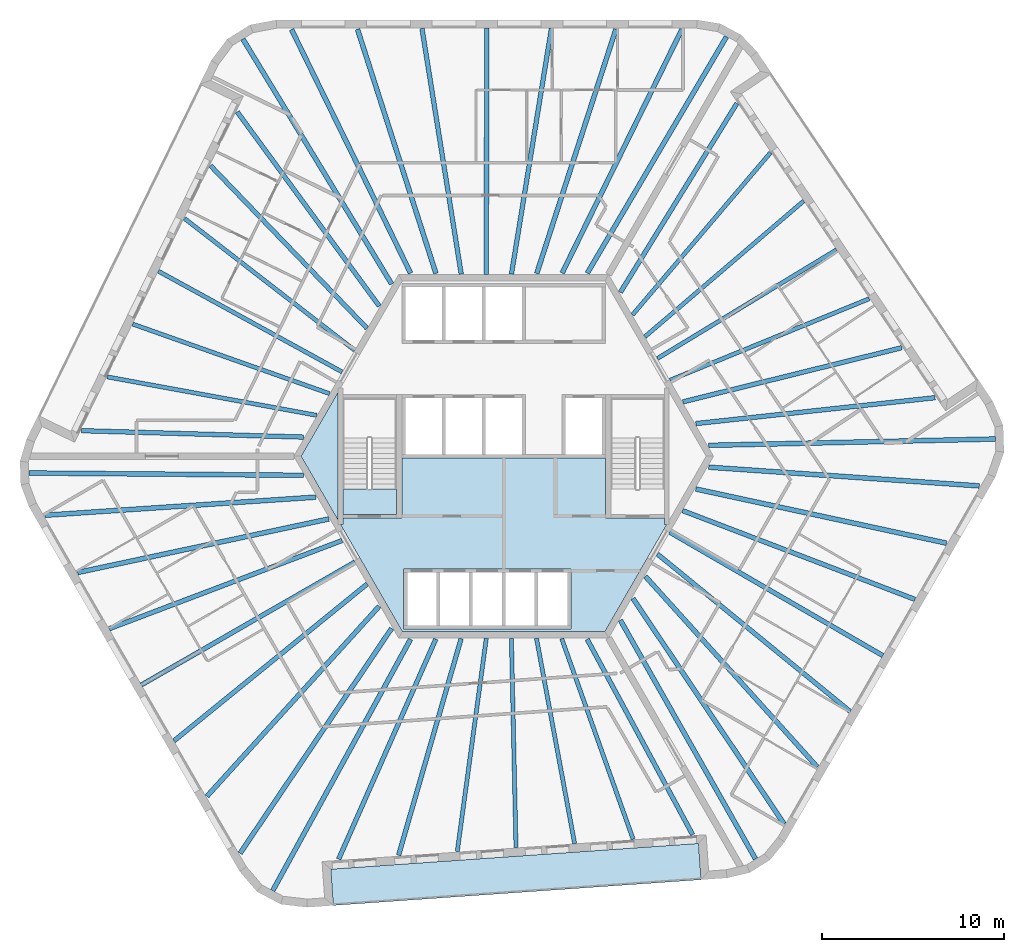
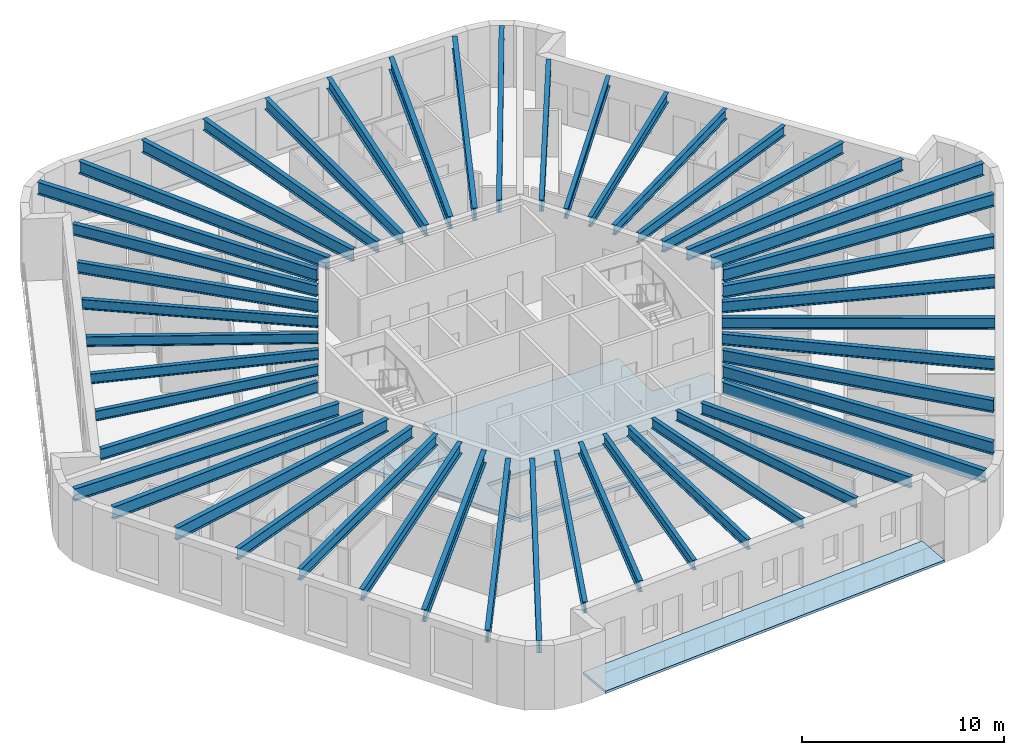
# One storey, part 1 of 11: 48 beams, 4 slabs.
"""IFC4 building model written with IfcOpenShell, lengths in metres."""

from ifc_helpers import new_model, si_unit, direction, frame, origin, origin_2d, place, context, subcontext, project, spatial, polyline, i_section, outline, extrude, material, layer, layer_set, material_profile, profile_set, type_object, element, save


model = new_model("IFC4")

# Units and contexts
model_context = context("Model", 3, precision=1e-05, world=origin(), true_north=direction((0.0, 1.0)))
body_context = subcontext(model_context, "Body", "Model", "MODEL_VIEW")
ifc_project = project(units=[si_unit("LENGTHUNIT", "METRE"), si_unit("AREAUNIT", "SQUARE_METRE"), si_unit("VOLUMEUNIT", "CUBIC_METRE"), si_unit("PLANEANGLEUNIT", "RADIAN"), si_unit("MASSUNIT", "GRAM", prefix="KILO")], contexts=[model_context])

# Site, building, storey
site_placement = place(None, origin())
site = spatial("IfcSite", under=ifc_project, at=site_placement, CompositionType="ELEMENT")
building_placement = place(site_placement, origin())
building = spatial("IfcBuilding", under=site, at=building_placement, Name="Tarnside Tower", CompositionType="ELEMENT")
storey_placement = place(building_placement, frame((0.0, 0.0, 353.39990234375)))
storey = spatial("IfcBuildingStorey", under=building, at=storey_placement, Name="L85", CompositionType="ELEMENT", Elevation=353.39990234375)

# Beams
ifc_material_1 = material(Name="Steel S355", Category="steel")
ifc_material_profile_1 = material_profile(ifc_material_1, i_section(OverallWidth=0.228271484375, OverallDepth=0.607666015625, WebThickness=0.010986328125, FlangeThickness=0.017333984375, FilletRadius=0.0126953125, at=origin_2d()), Name="UB 610x229x113")
ifc_profile_set_1 = profile_set([ifc_material_profile_1], Name="Steel S355")
beam_type_1 = type_object("IfcBeamType", Name="Floor beam UB 610x229x113", PredefinedType="BEAM", material=ifc_profile_set_1)
beam_1_placement = place(storey_placement, frame((-17.5537109375, 13.079345703125, 3.4462890625), z_axis=(0.790645071634, -0.612274750991, 0.0), x_axis=(0.612274750991, 0.790645071634, 0.0)))
element("IfcBeam", 1, at=beam_1_placement, inside=storey, type_object=beam_type_1, Name="Floor beam F2.03", PredefinedType="BEAM", context=body_context, shape_type="SweptSolid", body=[
    extrude(i_section(OverallWidth=0.228271484375, OverallDepth=0.607666015625, WebThickness=0.010986328125, FlangeThickness=0.017333984375, FilletRadius=0.0126953125, at=origin_2d()), origin(), (0.0, 0.0, 1.0), 11.829833984375),
])
beam_2_placement = place(storey_placement, frame((-18.98974609375, 10.1787109375, 3.4462890625), z_axis=(0.876798859106, -0.480857318412, 0.0), x_axis=(0.480857318412, 0.876798859106, 0.0)))
element("IfcBeam", 2, at=beam_2_placement, inside=storey, type_object=beam_type_1, Name="Floor beam F2.04", PredefinedType="BEAM", context=body_context, shape_type="SweptSolid", body=[
    extrude(i_section(OverallWidth=0.228271484375, OverallDepth=0.607666015625, WebThickness=0.010986328125, FlangeThickness=0.017333984375, FilletRadius=0.0126953125, at=origin_2d()), origin(), (0.0, 0.0, 1.0), 11.517578125),
])
beam_3_placement = place(storey_placement, frame((-20.408203125, 7.27099609375, 3.4462890625), z_axis=(0.942835979757, -0.33325713087, 0.0), x_axis=(0.33325713087, 0.942835979757, 0.0)))
element("IfcBeam", 3, at=beam_3_placement, inside=storey, type_object=beam_type_1, Name="Floor beam F2.05", PredefinedType="BEAM", context=body_context, shape_type="SweptSolid", body=[
    extrude(i_section(OverallWidth=0.228271484375, OverallDepth=0.607666015625, WebThickness=0.010986328125, FlangeThickness=0.017333984375, FilletRadius=0.0126953125, at=origin_2d()), origin(), (0.0, 0.0, 1.0), 11.4833984375),
])
beam_4_placement = place(storey_placement, frame((-21.80517578125, 4.3642578125, 3.4462890625), z_axis=(0.983583368825, -0.180454306048, 0.0), x_axis=(0.180454306048, 0.983583368825, 0.0)))
element("IfcBeam", 4, at=beam_4_placement, inside=storey, type_object=beam_type_1, Name="Floor beam F2.06", PredefinedType="BEAM", context=body_context, shape_type="SweptSolid", body=[
    extrude(i_section(OverallWidth=0.228271484375, OverallDepth=0.607666015625, WebThickness=0.010986328125, FlangeThickness=0.017333984375, FilletRadius=0.0126953125, at=origin_2d()), origin(), (0.0, 0.0, 1.0), 11.706787109375),
])
beam_5_placement = place(storey_placement, frame((-2.550048828125, -21.74169921875, 3.4462890625), z_axis=(0.134905991625, 0.990858402308, 0.0), x_axis=(-0.990858402308, 0.134905991625, 0.0)))
element("IfcBeam", 5, at=beam_5_placement, inside=storey, type_object=beam_type_1, Name="Floor beam F4.03", PredefinedType="BEAM", context=body_context, shape_type="SweptSolid", body=[
    extrude(i_section(OverallWidth=0.228271484375, OverallDepth=0.607666015625, WebThickness=0.010986328125, FlangeThickness=0.017333984375, FilletRadius=0.0126953125, at=origin_2d()), origin(), (0.0, 0.0, 1.0), 11.830078125),
])
beam_6_placement = place(storey_placement, frame((0.6796875, -21.53515625, 3.4462890625), z_axis=(-0.021959678074, 0.999758857195, 0.0), x_axis=(-0.999758857195, -0.021959678074, 0.0)))
element("IfcBeam", 6, at=beam_6_placement, inside=storey, type_object=beam_type_1, Name="Floor beam F4.04", PredefinedType="BEAM", context=body_context, shape_type="SweptSolid", body=[
    extrude(i_section(OverallWidth=0.228271484375, OverallDepth=0.607666015625, WebThickness=0.010986328125, FlangeThickness=0.017333984375, FilletRadius=0.0126953125, at=origin_2d()), origin(), (0.0, 0.0, 1.0), 11.517822265625),
])
beam_7_placement = place(storey_placement, frame((3.9072265625, -21.3095703125, 3.4462890625), z_axis=(-0.182818550439, 0.983146671466, 0.0), x_axis=(-0.983146671466, -0.182818550439, 0.0)))
element("IfcBeam", 7, at=beam_7_placement, inside=storey, type_object=beam_type_1, Name="Floor beam F4.05", PredefinedType="BEAM", context=body_context, shape_type="SweptSolid", body=[
    extrude(i_section(OverallWidth=0.228271484375, OverallDepth=0.607666015625, WebThickness=0.010986328125, FlangeThickness=0.017333984375, FilletRadius=0.0126953125, at=origin_2d()), origin(), (0.0, 0.0, 1.0), 11.4833984375),
])
beam_8_placement = place(storey_placement, frame((7.123046875, -21.06591796875, 3.4462890625), z_axis=(-0.335506617396, 0.94203784939, 0.0), x_axis=(-0.94203784939, -0.335506617396, 0.0)))
element("IfcBeam", 8, at=beam_8_placement, inside=storey, type_object=beam_type_1, Name="Floor beam F4.06", PredefinedType="BEAM", context=body_context, shape_type="SweptSolid", body=[
    extrude(i_section(OverallWidth=0.228271484375, OverallDepth=0.607666015625, WebThickness=0.010986328125, FlangeThickness=0.017333984375, FilletRadius=0.0126953125, at=origin_2d()), origin(), (0.0, 0.0, 1.0), 11.706787109375),
])
beam_9_placement = place(storey_placement, frame((20.10400390625, 8.662353515625, 3.4462890625), z_axis=(-0.925563720848, -0.378591862895, 0.0), x_axis=(0.378591862895, -0.925563720848, 0.0)))
element("IfcBeam", 9, at=beam_9_placement, inside=storey, type_object=beam_type_1, Name="Floor beam F6.03", PredefinedType="BEAM", context=body_context, shape_type="SweptSolid", body=[
    extrude(i_section(OverallWidth=0.228271484375, OverallDepth=0.607666015625, WebThickness=0.010986328125, FlangeThickness=0.017333984375, FilletRadius=0.0126953125, at=origin_2d()), origin(), (0.0, 0.0, 1.0), 11.830078125),
])
beam_10_placement = place(storey_placement, frame((18.31005859375, 11.356201171875, 3.4462890625), z_axis=(-0.854838892612, -0.518893503214, 0.0), x_axis=(0.518893503214, -0.854838892612, 0.0)))
element("IfcBeam", 10, at=beam_10_placement, inside=storey, type_object=beam_type_1, Name="Floor beam F6.04", PredefinedType="BEAM", context=body_context, shape_type="SweptSolid", body=[
    extrude(i_section(OverallWidth=0.228271484375, OverallDepth=0.607666015625, WebThickness=0.010986328125, FlangeThickness=0.017333984375, FilletRadius=0.0126953125, at=origin_2d()), origin(), (0.0, 0.0, 1.0), 11.517822265625),
])
beam_11_placement = place(storey_placement, frame((16.5009765625, 14.03857421875, 3.4462890625), z_axis=(-0.760013955451, -0.649906752942, 0.0), x_axis=(0.649906752942, -0.760013955451, 0.0)))
element("IfcBeam", 11, at=beam_11_placement, inside=storey, type_object=beam_type_1, Name="Floor beam F6.05", PredefinedType="BEAM", context=body_context, shape_type="SweptSolid", body=[
    extrude(i_section(OverallWidth=0.228271484375, OverallDepth=0.607666015625, WebThickness=0.010986328125, FlangeThickness=0.017333984375, FilletRadius=0.0126953125, at=origin_2d()), origin(), (0.0, 0.0, 1.0), 11.4833984375),
])
beam_12_placement = place(storey_placement, frame((14.68212890625, 16.70166015625, 3.4462890625), z_axis=(-0.648070250912, -0.761580560337, 0.0), x_axis=(0.761580560337, -0.648070250912, 0.0)))
element("IfcBeam", 12, at=beam_12_placement, inside=storey, type_object=beam_type_1, Name="Floor beam F6.06", PredefinedType="BEAM", context=body_context, shape_type="SweptSolid", body=[
    extrude(i_section(OverallWidth=0.228271484375, OverallDepth=0.607666015625, WebThickness=0.010986328125, FlangeThickness=0.017333984375, FilletRadius=0.0126953125, at=origin_2d()), origin(), (0.0, 0.0, 1.0), 11.70703125),
])
ifc_material_profile_2 = material_profile(ifc_material_1, i_section(OverallWidth=0.2529296875, OverallDepth=0.677978515625, WebThickness=0.01171875, FlangeThickness=0.01611328125, FilletRadius=0.01513671875, at=origin_2d()), Name="UB 686x254x125")
ifc_profile_set_2 = profile_set([ifc_material_profile_2], Name="Steel S355")
beam_type_2 = type_object("IfcBeamType", Name="Floor beam UB 686x254x125", PredefinedType="BEAM", material=ifc_profile_set_2)
beam_13_placement = place(storey_placement, frame((2.628662109375, 23.5302734375, 3.4111328125), z_axis=(-0.160646508519, -0.987012005652, 0.0), x_axis=(0.987012005652, -0.160646508519, 0.0)))
element("IfcBeam", 13, at=beam_13_placement, inside=storey, type_object=beam_type_2, Name="Floor beam F1.03", PredefinedType="BEAM", context=body_context, shape_type="SweptSolid", body=[
    extrude(i_section(OverallWidth=0.2529296875, OverallDepth=0.677978515625, WebThickness=0.01171875, FlangeThickness=0.01611328125, FilletRadius=0.01513671875, at=origin_2d()), origin(), (0.0, 0.0, 1.0), 13.688232421875),
])
beam_14_placement = place(storey_placement, frame((-0.931884765625, 23.550048828125, 3.4111328125), z_axis=(-0.001441413973, -0.999998961162, 0.0), x_axis=(0.999998961162, -0.001441413973, 0.0)))
element("IfcBeam", 14, at=beam_14_placement, inside=storey, type_object=beam_type_2, Name="Floor beam F1.04", PredefinedType="BEAM", context=body_context, shape_type="SweptSolid", body=[
    extrude(i_section(OverallWidth=0.2529296875, OverallDepth=0.677978515625, WebThickness=0.01171875, FlangeThickness=0.01611328125, FilletRadius=0.01513671875, at=origin_2d()), origin(), (0.0, 0.0, 1.0), 13.550048828125),
])
beam_15_placement = place(storey_placement, frame((-4.492431640625, 23.5302734375, 3.4111328125), z_axis=(0.157881934136, -0.987457996511, 0.0), x_axis=(0.987457996511, 0.157881934136, 0.0)))
element("IfcBeam", 15, at=beam_15_placement, inside=storey, type_object=beam_type_2, Name="Floor beam F1.05", PredefinedType="BEAM", context=body_context, shape_type="SweptSolid", body=[
    extrude(i_section(OverallWidth=0.2529296875, OverallDepth=0.677978515625, WebThickness=0.01171875, FlangeThickness=0.01611328125, FilletRadius=0.01513671875, at=origin_2d()), origin(), (0.0, 0.0, 1.0), 13.68212890625),
])
beam_16_placement = place(storey_placement, frame((-14.657470703125, 18.94580078125, 3.4111328125), z_axis=(0.590284711171, -0.807195118765, 0.0), x_axis=(0.807195118765, 0.590284711171, 0.0)))
element("IfcBeam", 16, at=beam_16_placement, inside=storey, type_object=beam_type_2, Name="Floor beam F2.01", PredefinedType="BEAM", context=body_context, shape_type="SweptSolid", body=[
    extrude(i_section(OverallWidth=0.2529296875, OverallDepth=0.677978515625, WebThickness=0.01171875, FlangeThickness=0.01611328125, FilletRadius=0.01513671875, at=origin_2d()), origin(), (0.0, 0.0, 1.0), 13.23974609375),
])
beam_17_placement = place(storey_placement, frame((-16.119873046875, 15.980224609375, 3.4111328125), z_axis=(0.693349119992, -0.720601830283, 0.0), x_axis=(0.720601830283, 0.693349119992, 0.0)))
element("IfcBeam", 17, at=beam_17_placement, inside=storey, type_object=beam_type_2, Name="Floor beam F2.02", PredefinedType="BEAM", context=body_context, shape_type="SweptSolid", body=[
    extrude(i_section(OverallWidth=0.2529296875, OverallDepth=0.677978515625, WebThickness=0.01171875, FlangeThickness=0.01611328125, FilletRadius=0.01513671875, at=origin_2d()), origin(), (0.0, 0.0, 1.0), 12.3984375),
])
beam_18_placement = place(storey_placement, frame((-23.22998046875, 1.406005859375, 3.4111328125), z_axis=(0.99958400974, -0.028841072664, 0.0), x_axis=(0.028841072664, 0.99958400974, 0.0)))
element("IfcBeam", 18, at=beam_18_placement, inside=storey, type_object=beam_type_2, Name="Floor beam F2.07", PredefinedType="BEAM", context=body_context, shape_type="SweptSolid", body=[
    extrude(i_section(OverallWidth=0.2529296875, OverallDepth=0.677978515625, WebThickness=0.01171875, FlangeThickness=0.01611328125, FilletRadius=0.01513671875, at=origin_2d()), origin(), (0.0, 0.0, 1.0), 12.215087890625),
])
beam_19_placement = place(storey_placement, frame((-21.692138671875, -9.48876953125, 3.4111328125), z_axis=(0.935097216102, 0.354391304124, 0.0), x_axis=(-0.354391304124, 0.935097216102, 0.0)))
element("IfcBeam", 19, at=beam_19_placement, inside=storey, type_object=beam_type_2, Name="Floor beam F3.03", PredefinedType="BEAM", context=body_context, shape_type="SweptSolid", body=[
    extrude(i_section(OverallWidth=0.2529296875, OverallDepth=0.677978515625, WebThickness=0.01171875, FlangeThickness=0.01611328125, FilletRadius=0.01513671875, at=origin_2d()), origin(), (0.0, 0.0, 1.0), 13.6884765625),
])
beam_20_placement = place(storey_placement, frame((-19.928955078125, -12.58203125, 3.4111328125), z_axis=(0.866745672107, 0.49875037833, 0.0), x_axis=(-0.49875037833, 0.866745672107, 0.0)))
element("IfcBeam", 20, at=beam_20_placement, inside=storey, type_object=beam_type_2, Name="Floor beam F3.04", PredefinedType="BEAM", context=body_context, shape_type="SweptSolid", body=[
    extrude(i_section(OverallWidth=0.2529296875, OverallDepth=0.677978515625, WebThickness=0.01171875, FlangeThickness=0.01611328125, FilletRadius=0.01513671875, at=origin_2d()), origin(), (0.0, 0.0, 1.0), 13.550048828125),
])
beam_21_placement = place(storey_placement, frame((-18.131591796875, -15.65576171875, 3.4111328125), z_axis=(0.77622369633, 0.630457590371, 0.0), x_axis=(-0.630457590371, 0.77622369633, 0.0)))
element("IfcBeam", 21, at=beam_21_placement, inside=storey, type_object=beam_type_2, Name="Floor beam F3.05", PredefinedType="BEAM", context=body_context, shape_type="SweptSolid", body=[
    extrude(i_section(OverallWidth=0.2529296875, OverallDepth=0.677978515625, WebThickness=0.01171875, FlangeThickness=0.01611328125, FilletRadius=0.01513671875, at=origin_2d()), origin(), (0.0, 0.0, 1.0), 13.68212890625),
])
beam_22_placement = place(storey_placement, frame((-9.078857421875, -22.16650390625, 3.4111328125), z_axis=(0.403913038749, 0.914797385834, 0.0), x_axis=(-0.914797385834, 0.403913038749, 0.0)))
element("IfcBeam", 22, at=beam_22_placement, inside=storey, type_object=beam_type_2, Name="Floor beam F4.01", PredefinedType="BEAM", context=body_context, shape_type="SweptSolid", body=[
    extrude(i_section(OverallWidth=0.2529296875, OverallDepth=0.677978515625, WebThickness=0.01171875, FlangeThickness=0.01611328125, FilletRadius=0.01513671875, at=origin_2d()), origin(), (0.0, 0.0, 1.0), 13.239501953125),
])
beam_23_placement = place(storey_placement, frame((-5.779296875, -21.9501953125, 3.4111328125), z_axis=(0.277391022539, 0.960757108022, 0.0), x_axis=(-0.960757108022, 0.277391022539, 0.0)))
element("IfcBeam", 23, at=beam_23_placement, inside=storey, type_object=beam_type_2, Name="Floor beam F4.02", PredefinedType="BEAM", context=body_context, shape_type="SweptSolid", body=[
    extrude(i_section(OverallWidth=0.2529296875, OverallDepth=0.677978515625, WebThickness=0.01171875, FlangeThickness=0.01611328125, FilletRadius=0.01513671875, at=origin_2d()), origin(), (0.0, 0.0, 1.0), 12.3984375),
])
beam_24_placement = place(storey_placement, frame((10.3974609375, -20.82080078125, 3.4111328125), z_axis=(-0.474802871876, 0.880092172933, 0.0), x_axis=(-0.880092172933, -0.474802871876, 0.0)))
element("IfcBeam", 24, at=beam_24_placement, inside=storey, type_object=beam_type_2, Name="Floor beam F4.07", PredefinedType="BEAM", context=body_context, shape_type="SweptSolid", body=[
    extrude(i_section(OverallWidth=0.2529296875, OverallDepth=0.677978515625, WebThickness=0.01171875, FlangeThickness=0.01611328125, FilletRadius=0.01513671875, at=origin_2d()), origin(), (0.0, 0.0, 1.0), 12.215087890625),
])
beam_25_placement = place(storey_placement, frame((19.0634765625, -14.04150390625, 3.4111328125), z_axis=(-0.774448963371, 0.632636390934, 0.0), x_axis=(-0.632636390934, -0.774448963371, 0.0)))
element("IfcBeam", 25, at=beam_25_placement, inside=storey, type_object=beam_type_2, Name="Floor beam F5.03", PredefinedType="BEAM", context=body_context, shape_type="SweptSolid", body=[
    extrude(i_section(OverallWidth=0.2529296875, OverallDepth=0.677978515625, WebThickness=0.01171875, FlangeThickness=0.01611328125, FilletRadius=0.01513671875, at=origin_2d()), origin(), (0.0, 0.0, 1.0), 13.688232421875),
])
beam_26_placement = place(storey_placement, frame((20.86083984375, -10.968017578125, 3.4111328125), z_axis=(-0.865300844595, 0.501252878639, 0.0), x_axis=(-0.501252878639, -0.865300844595, 0.0)))
element("IfcBeam", 26, at=beam_26_placement, inside=storey, type_object=beam_type_2, Name="Floor beam F5.04", PredefinedType="BEAM", context=body_context, shape_type="SweptSolid", body=[
    extrude(i_section(OverallWidth=0.2529296875, OverallDepth=0.677978515625, WebThickness=0.01171875, FlangeThickness=0.01611328125, FilletRadius=0.01513671875, at=origin_2d()), origin(), (0.0, 0.0, 1.0), 13.550048828125),
])
beam_27_placement = place(storey_placement, frame((22.6240234375, -7.87451171875, 3.4111328125), z_axis=(-0.934104171069, 0.357000556851, 0.0), x_axis=(-0.357000556851, -0.934104171069, 0.0)))
element("IfcBeam", 27, at=beam_27_placement, inside=storey, type_object=beam_type_2, Name="Floor beam F5.05", PredefinedType="BEAM", context=body_context, shape_type="SweptSolid", body=[
    extrude(i_section(OverallWidth=0.2529296875, OverallDepth=0.677978515625, WebThickness=0.01171875, FlangeThickness=0.01611328125, FilletRadius=0.01513671875, at=origin_2d()), origin(), (0.0, 0.0, 1.0), 13.68212890625),
])
beam_28_placement = place(storey_placement, frame((23.736083984375, 3.220703125, 3.4111328125), z_axis=(-0.994194525567, -0.107597608396, 0.0), x_axis=(0.107597608396, -0.994194525567, 0.0)))
element("IfcBeam", 28, at=beam_28_placement, inside=storey, type_object=beam_type_2, Name="Floor beam F6.01", PredefinedType="BEAM", context=body_context, shape_type="SweptSolid", body=[
    extrude(i_section(OverallWidth=0.2529296875, OverallDepth=0.677978515625, WebThickness=0.01171875, FlangeThickness=0.01611328125, FilletRadius=0.01513671875, at=origin_2d()), origin(), (0.0, 0.0, 1.0), 13.23974609375),
])
beam_29_placement = place(storey_placement, frame((21.899169921875, 5.969970703125, 3.4111328125), z_axis=(-0.970734945262, -0.240153421892, 0.0), x_axis=(0.240153421892, -0.970734945262, 0.0)))
element("IfcBeam", 29, at=beam_29_placement, inside=storey, type_object=beam_type_2, Name="Floor beam F6.02", PredefinedType="BEAM", context=body_context, shape_type="SweptSolid", body=[
    extrude(i_section(OverallWidth=0.2529296875, OverallDepth=0.677978515625, WebThickness=0.01171875, FlangeThickness=0.01611328125, FilletRadius=0.01513671875, at=origin_2d()), origin(), (0.0, 0.0, 1.0), 12.3984375),
])
beam_30_placement = place(storey_placement, frame((12.83251953125, 19.414794921875, 3.4111328125), z_axis=(-0.524775269126, -0.851240810179, 0.0), x_axis=(0.851240810179, -0.524775269126, 0.0)))
element("IfcBeam", 30, at=beam_30_placement, inside=storey, type_object=beam_type_2, Name="Floor beam F6.07", PredefinedType="BEAM", context=body_context, shape_type="SweptSolid", body=[
    extrude(i_section(OverallWidth=0.2529296875, OverallDepth=0.677978515625, WebThickness=0.01171875, FlangeThickness=0.01611328125, FilletRadius=0.01513671875, at=origin_2d()), origin(), (0.0, 0.0, 1.0), 12.215087890625),
])
ifc_material_profile_3 = material_profile(ifc_material_1, i_section(OverallWidth=0.26513671875, OverallDepth=0.75390625, WebThickness=0.0126953125, FlangeThickness=0.017578125, FilletRadius=0.0166015625, at=origin_2d()), Name="UB 762x267x147")
ifc_profile_set_3 = profile_set([ifc_material_profile_3], Name="Steel S355")
beam_type_3 = type_object("IfcBeamType", Name="Floor beam UB 762x267x147", PredefinedType="BEAM", material=ifc_profile_set_3)
beam_31_placement = place(storey_placement, frame((9.805419921875, 23.478271484375, 3.373046875), z_axis=(-0.441038082116, -0.897488389966, 0.0), x_axis=(0.897488389966, -0.441038082116, 0.0)))
element("IfcBeam", 31, at=beam_31_placement, inside=storey, type_object=beam_type_3, Name="Floor beam F1.01", PredefinedType="BEAM", context=body_context, shape_type="SweptSolid", body=[
    extrude(i_section(OverallWidth=0.26513671875, OverallDepth=0.75390625, WebThickness=0.0126953125, FlangeThickness=0.017578125, FilletRadius=0.0166015625, at=origin_2d()), origin(), (0.0, 0.0, 1.0), 14.937744140625),
])
beam_32_placement = place(storey_placement, frame((6.177001953125, 23.492919921875, 3.373046875), z_axis=(-0.308308550255, -0.951286412097, 0.0), x_axis=(0.951286412097, -0.308308550255, 0.0)))
element("IfcBeam", 32, at=beam_32_placement, inside=storey, type_object=beam_type_3, Name="Floor beam F1.02", PredefinedType="BEAM", context=body_context, shape_type="SweptSolid", body=[
    extrude(i_section(OverallWidth=0.26513671875, OverallDepth=0.75390625, WebThickness=0.0126953125, FlangeThickness=0.017578125, FilletRadius=0.0166015625, at=origin_2d()), origin(), (0.0, 0.0, 1.0), 14.123779296875),
])
beam_33_placement = place(storey_placement, frame((-8.041015625, 23.492919921875, 3.373046875), z_axis=(0.305833892652, -0.952084885977, 0.0), x_axis=(0.952084885977, 0.305833892652, 0.0)))
element("IfcBeam", 33, at=beam_33_placement, inside=storey, type_object=beam_type_3, Name="Floor beam F1.06", PredefinedType="BEAM", context=body_context, shape_type="SweptSolid", body=[
    extrude(i_section(OverallWidth=0.26513671875, OverallDepth=0.75390625, WebThickness=0.0126953125, FlangeThickness=0.017578125, FilletRadius=0.0166015625, at=origin_2d()), origin(), (0.0, 0.0, 1.0), 14.112060546875),
])
beam_34_placement = place(storey_placement, frame((-11.66943359375, 23.47802734375, 3.373046875), z_axis=(0.438980621391, -0.898496529789, 0.0), x_axis=(0.898496529789, 0.438980621391, 0.0)))
element("IfcBeam", 34, at=beam_34_placement, inside=storey, type_object=beam_type_3, Name="Floor beam F1.07", PredefinedType="BEAM", context=body_context, shape_type="SweptSolid", body=[
    extrude(i_section(OverallWidth=0.26513671875, OverallDepth=0.75390625, WebThickness=0.0126953125, FlangeThickness=0.017578125, FilletRadius=0.0166015625, at=origin_2d()), origin(), (0.0, 0.0, 1.0), 14.92041015625),
])
beam_35_placement = place(storey_placement, frame((-14.346435546875, 22.95361328125, 3.373046875), z_axis=(0.519050027983, -0.854743861312, 0.0), x_axis=(0.854743861312, 0.519050027983, 0.0)))
element("IfcBeam", 35, at=beam_35_placement, inside=storey, type_object=beam_type_3, Name="Floor beam C1", PredefinedType="BEAM", context=body_context, shape_type="SweptSolid", body=[
    extrude(i_section(OverallWidth=0.26513671875, OverallDepth=0.75390625, WebThickness=0.0126953125, FlangeThickness=0.017578125, FilletRadius=0.0166015625, at=origin_2d()), origin(), (0.0, 0.0, 1.0), 15.77294921875),
])
beam_36_placement = place(storey_placement, frame((-26.115234375, -0.922607421875, 3.373046875), z_axis=(0.99996409039, -0.008474546068, 0.0), x_axis=(0.008474546068, 0.99996409039, 0.0)))
element("IfcBeam", 36, at=beam_36_placement, inside=storey, type_object=beam_type_3, Name="Floor beam C2", PredefinedType="BEAM", context=body_context, shape_type="SweptSolid", body=[
    extrude(i_section(OverallWidth=0.26513671875, OverallDepth=0.75390625, WebThickness=0.0126953125, FlangeThickness=0.017578125, FilletRadius=0.0166015625, at=origin_2d()), origin(), (0.0, 0.0, 1.0), 15.095703125),
])
beam_37_placement = place(storey_placement, frame((-25.2353515625, -3.247314453125, 3.373046875), z_axis=(0.997767622241, 0.066781524448, 0.0), x_axis=(-0.066781524448, 0.997767622241, 0.0)))
element("IfcBeam", 37, at=beam_37_placement, inside=storey, type_object=beam_type_3, Name="Floor beam F3.01", PredefinedType="BEAM", context=body_context, shape_type="SweptSolid", body=[
    extrude(i_section(OverallWidth=0.26513671875, OverallDepth=0.75390625, WebThickness=0.0126953125, FlangeThickness=0.017578125, FilletRadius=0.0166015625, at=origin_2d()), origin(), (0.0, 0.0, 1.0), 14.937744140625),
])
beam_38_placement = place(storey_placement, frame((-23.43408203125, -6.39697265625, 3.373046875), z_axis=(0.977992742368, 0.208638912658, 0.0), x_axis=(-0.208638912658, 0.977992742368, 0.0)))
element("IfcBeam", 38, at=beam_38_placement, inside=storey, type_object=beam_type_3, Name="Floor beam F3.02", PredefinedType="BEAM", context=body_context, shape_type="SweptSolid", body=[
    extrude(i_section(OverallWidth=0.26513671875, OverallDepth=0.75390625, WebThickness=0.0126953125, FlangeThickness=0.017578125, FilletRadius=0.0166015625, at=origin_2d()), origin(), (0.0, 0.0, 1.0), 14.123779296875),
])
beam_39_placement = place(storey_placement, frame((-16.324951171875, -18.710205078125, 3.373046875), z_axis=(0.671613814762, 0.740901399526, 0.0), x_axis=(-0.740901399526, 0.671613814762, 0.0)))
element("IfcBeam", 39, at=beam_39_placement, inside=storey, type_object=beam_type_3, Name="Floor beam F3.06", PredefinedType="BEAM", context=body_context, shape_type="SweptSolid", body=[
    extrude(i_section(OverallWidth=0.26513671875, OverallDepth=0.75390625, WebThickness=0.0126953125, FlangeThickness=0.017578125, FilletRadius=0.0166015625, at=origin_2d()), origin(), (0.0, 0.0, 1.0), 14.112060546875),
])
beam_40_placement = place(storey_placement, frame((-14.497802734375, -21.84521484375, 3.373046875), z_axis=(0.558632311738, 0.829415420813, 0.0), x_axis=(-0.829415420813, 0.558632311738, 0.0)))
element("IfcBeam", 40, at=beam_40_placement, inside=storey, type_object=beam_type_3, Name="Floor beam F3.07", PredefinedType="BEAM", context=body_context, shape_type="SweptSolid", body=[
    extrude(i_section(OverallWidth=0.26513671875, OverallDepth=0.75390625, WebThickness=0.0126953125, FlangeThickness=0.017578125, FilletRadius=0.0166015625, at=origin_2d()), origin(), (0.0, 0.0, 1.0), 14.920654296875),
])
beam_41_placement = place(storey_placement, frame((-12.705322265625, -23.9013671875, 3.373046875), z_axis=(0.480710922029, 0.876879130463, 0.0), x_axis=(-0.876879130463, 0.480710922029, 0.0)))
element("IfcBeam", 41, at=beam_41_placement, inside=storey, type_object=beam_type_3, Name="Floor beam C3", PredefinedType="BEAM", context=body_context, shape_type="SweptSolid", body=[
    extrude(i_section(OverallWidth=0.26513671875, OverallDepth=0.75390625, WebThickness=0.0126953125, FlangeThickness=0.017578125, FilletRadius=0.0166015625, at=origin_2d()), origin(), (0.0, 0.0, 1.0), 15.77294921875),
])
beam_42_placement = place(storey_placement, frame((13.856689453125, -22.155029296875, 3.373046875), z_axis=(-0.492642822233, 0.870231606931, 0.0), x_axis=(-0.870231606931, -0.492642822233, 0.0)))
element("IfcBeam", 42, at=beam_42_placement, inside=storey, type_object=beam_type_3, Name="Floor beam C4", PredefinedType="BEAM", context=body_context, shape_type="SweptSolid", body=[
    extrude(i_section(OverallWidth=0.26513671875, OverallDepth=0.75390625, WebThickness=0.0126953125, FlangeThickness=0.017578125, FilletRadius=0.0166015625, at=origin_2d()), origin(), (0.0, 0.0, 1.0), 15.095703125),
])
beam_43_placement = place(storey_placement, frame((15.429931640625, -20.23095703125, 3.373046875), z_axis=(-0.556705108381, 0.830710191524, 0.0), x_axis=(-0.830710191524, -0.556705108381, 0.0)))
element("IfcBeam", 43, at=beam_43_placement, inside=storey, type_object=beam_type_3, Name="Floor beam F5.01", PredefinedType="BEAM", context=body_context, shape_type="SweptSolid", body=[
    extrude(i_section(OverallWidth=0.26513671875, OverallDepth=0.75390625, WebThickness=0.0126953125, FlangeThickness=0.017578125, FilletRadius=0.0166015625, at=origin_2d()), origin(), (0.0, 0.0, 1.0), 14.937744140625),
])
beam_44_placement = place(storey_placement, frame((17.257080078125, -17.095947265625, 3.373046875), z_axis=(-0.669693076209, 0.742637989654, 0.0), x_axis=(-0.742637989654, -0.669693076209, 0.0)))
element("IfcBeam", 44, at=beam_44_placement, inside=storey, type_object=beam_type_3, Name="Floor beam F5.02", PredefinedType="BEAM", context=body_context, shape_type="SweptSolid", body=[
    extrude(i_section(OverallWidth=0.26513671875, OverallDepth=0.75390625, WebThickness=0.0126953125, FlangeThickness=0.017578125, FilletRadius=0.0166015625, at=origin_2d()), origin(), (0.0, 0.0, 1.0), 14.1240234375),
])
beam_45_placement = place(storey_placement, frame((24.365966796875, -4.78271484375, 3.373046875), z_axis=(-0.977446315909, 0.211184041811, 0.0), x_axis=(-0.211184041811, -0.977446315909, 0.0)))
element("IfcBeam", 45, at=beam_45_placement, inside=storey, type_object=beam_type_3, Name="Floor beam F5.06", PredefinedType="BEAM", context=body_context, shape_type="SweptSolid", body=[
    extrude(i_section(OverallWidth=0.26513671875, OverallDepth=0.75390625, WebThickness=0.0126953125, FlangeThickness=0.017578125, FilletRadius=0.0166015625, at=origin_2d()), origin(), (0.0, 0.0, 1.0), 14.112060546875),
])
beam_46_placement = place(storey_placement, frame((26.16748046875, -1.633056640625, 3.373046875), z_axis=(-0.99760979709, 0.069099151587, 0.0), x_axis=(-0.069099151587, -0.99760979709, 0.0)))
element("IfcBeam", 46, at=beam_46_placement, inside=storey, type_object=beam_type_3, Name="Floor beam F5.07", PredefinedType="BEAM", context=body_context, shape_type="SweptSolid", body=[
    extrude(i_section(OverallWidth=0.26513671875, OverallDepth=0.75390625, WebThickness=0.0126953125, FlangeThickness=0.017578125, FilletRadius=0.0166015625, at=origin_2d()), origin(), (0.0, 0.0, 1.0), 14.920654296875),
])
beam_47_placement = place(storey_placement, frame((27.0517578125, 0.947509765625, 3.373046875), z_axis=(-0.999755015591, -0.022133883549, 0.0), x_axis=(0.022133883549, -0.999755015591, 0.0)))
element("IfcBeam", 47, at=beam_47_placement, inside=storey, type_object=beam_type_3, Name="Floor beam C5", PredefinedType="BEAM", context=body_context, shape_type="SweptSolid", body=[
    extrude(i_section(OverallWidth=0.26513671875, OverallDepth=0.75390625, WebThickness=0.0126953125, FlangeThickness=0.017578125, FilletRadius=0.0166015625, at=origin_2d()), origin(), (0.0, 0.0, 1.0), 15.773193359375),
])
beam_48_placement = place(storey_placement, frame((12.258544921875, 23.07763671875, 3.373046875), z_axis=(-0.507326131491, -0.861754139129, 0.0), x_axis=(0.861754139129, -0.507326131491, 0.0)))
element("IfcBeam", 48, at=beam_48_placement, inside=storey, type_object=beam_type_3, Name="Floor beam C6", PredefinedType="BEAM", context=body_context, shape_type="SweptSolid", body=[
    extrude(i_section(OverallWidth=0.26513671875, OverallDepth=0.75390625, WebThickness=0.0126953125, FlangeThickness=0.017578125, FilletRadius=0.0166015625, at=origin_2d()), origin(), (0.0, 0.0, 1.0), 15.095703125),
])

# Slabs
ifc_material_2 = material(Name="Concrete C40/50", Category="concrete")
ifc_layer_1 = layer(ifc_material_2, 0.25)
ifc_layer_set_1 = layer_set([ifc_layer_1], Name="Core slab C40/50")
slab_type_1 = type_object("IfcSlabType", Name="Core slab C40/50", PredefinedType="FLOOR", material=ifc_layer_set_1)
slab_1_placement = place(storey_placement, frame((0.0, 0.0, -0.25)))
element("IfcSlab", 49, at=slab_1_placement, inside=storey, type_object=slab_type_1, Name="L85 core floor slab 2", PredefinedType="FLOOR", context=body_context, shape_type="SweptSolid", body=[
    extrude(outline(polyline([(-9.10009765625, -3.538330078125), (-11.142822265625, 0.0), (-9.10009765625, 3.538330078125), (-9.10009765625, -3.538330078125)])), origin(), (0.0, 0.0, 1.0), 0.25),
])
slab_2_placement = place(storey_placement, frame((0.0, 0.0, -0.25)))
element("IfcSlab", 50, at=slab_2_placement, inside=storey, type_object=slab_type_1, Name="L85 core floor slab 3", PredefinedType="FLOOR", context=body_context, shape_type="SweptSolid", body=[
    extrude(outline(polyline([(-8.85009765625, -3.7548828125), (-8.85009765625, -3.39990234375), (-5.89990234375, -3.39990234375), (-5.60009765625, -3.39990234375), (-5.60009765625, -0.10009765625), (5.60009765625, -0.10009765625), (5.60009765625, -3.39990234375), (5.89990234375, -3.39990234375), (8.85009765625, -3.39990234375), (8.85009765625, -3.7548828125), (8.97509765625, -3.7548828125), (5.5712890625, -9.64990234375), (-5.5712890625, -9.64990234375), (-8.97509765625, -3.7548828125), (-8.85009765625, -3.7548828125)]), holes=[polyline([(-5.5, -9.5), (3.699951171875, -9.5), (3.699951171875, -9.300048828125), (3.699951171875, -6.39990234375), (3.699951171875, -6.199951171875), (-5.5, -6.199951171875), (-5.5, -6.39990234375), (-5.5, -9.300048828125), (-5.5, -9.5)])]), origin(), (0.0, 0.0, 1.0), 0.25),
])
slab_3_placement = place(storey_placement, frame((0.0, 0.0, -0.25)))
element("IfcSlab", 51, at=slab_3_placement, inside=storey, type_object=slab_type_1, Name="L85 core floor slab 5", PredefinedType="FLOOR", context=body_context, shape_type="SweptSolid", body=[
    extrude(outline(polyline([(-8.85009765625, -3.199951171875), (-8.85009765625, -1.800048828125), (-5.89990234375, -1.800048828125), (-5.89990234375, -3.199951171875), (-8.85009765625, -3.199951171875)])), origin(), (0.0, 0.0, 1.0), 0.25),
])
ifc_material_3 = material(Name="Timber decking", Category="wood")
ifc_layer_2 = layer(ifc_material_3, 0.0400390625)
ifc_material_4 = material(Name="Concrete C60/75 precast", Category="concrete")
ifc_layer_3 = layer(ifc_material_4, 0.110107421875)
ifc_layer_set_2 = layer_set([ifc_layer_2, ifc_layer_3], Name="Loggia deck 150")
slab_type_2 = type_object("IfcSlabType", Name="Loggia deck 150", PredefinedType="FLOOR", material=ifc_layer_set_2)
slab_4_placement = place(storey_placement, frame((0.0, 0.0, -0.14990234375)))
element("IfcSlab", 52, at=slab_4_placement, inside=storey, type_object=slab_type_2, Name="Loggia deck L85 F4", PredefinedType="FLOOR", context=body_context, shape_type="SweptSolid", body=[
    extrude(outline(polyline([(-9.5107421875, -22.71875), (10.721435546875, -21.303955078125), (10.86083984375, -23.299072265625), (-9.371337890625, -24.7138671875), (-9.5107421875, -22.71875)])), origin(), (0.0, 0.0, 1.0), 0.14990234375),
])

save(model, "model.ifc")
